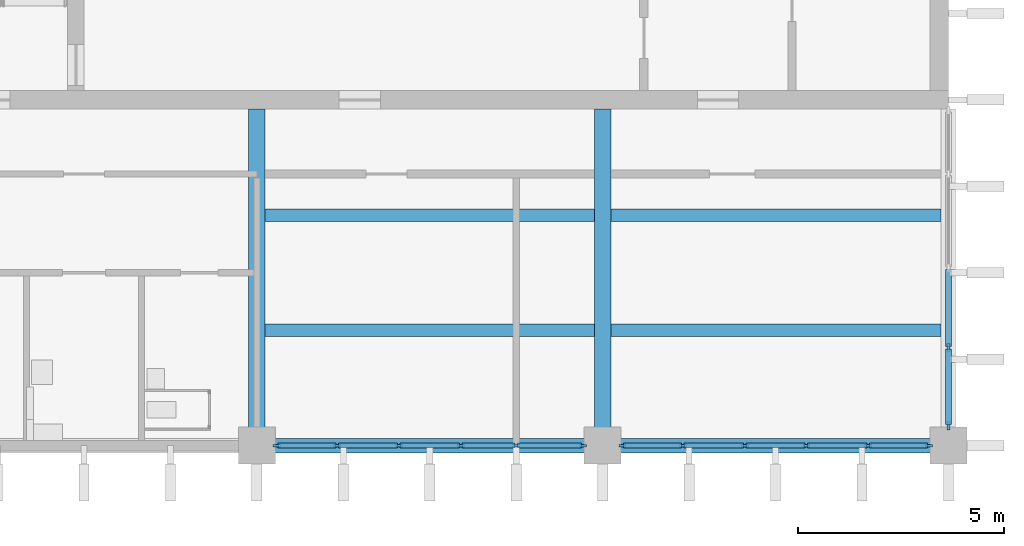
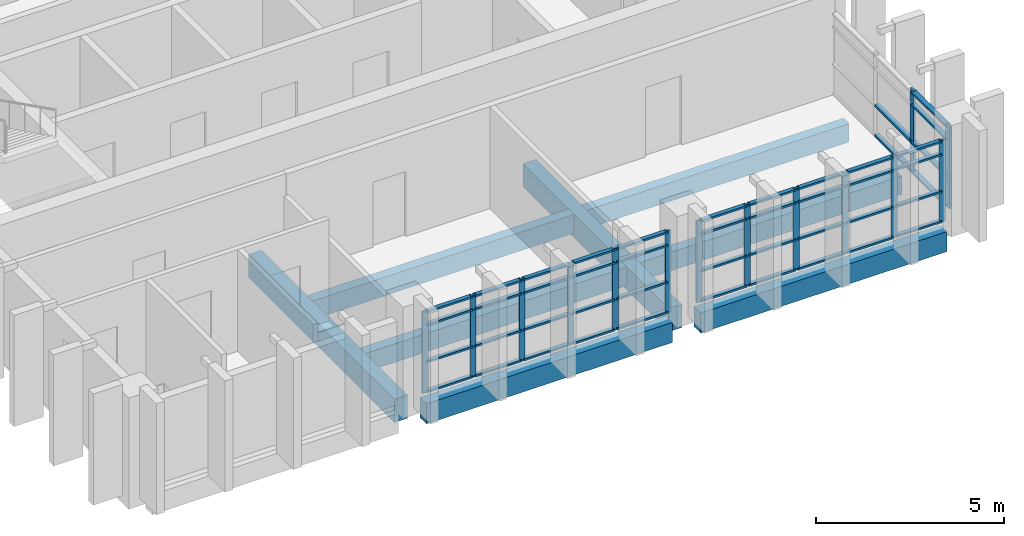
# One storey, part 2 of 10: 60 members, 8 beams, 3 elements without a shape of their own.
"""IFC4 building model written with IfcOpenShell, lengths in metres."""

from ifc_helpers import new_model, si_unit, direction, frame, origin, origin_2d, place, context, subcontext, project, spatial, rectangle, extrude, material, layer, layer_set, material_profile, profile_set, type_object, element, aggregate, save


model = new_model("IFC4")

# Units and contexts
model_context = context("Model", 3, precision=1e-05, world=origin(), true_north=direction((0.0, 1.0)))
body_context = subcontext(model_context, "Body", "Model", "MODEL_VIEW")
ifc_project = project(units=[si_unit("LENGTHUNIT", "METRE"), si_unit("AREAUNIT", "SQUARE_METRE"), si_unit("VOLUMEUNIT", "CUBIC_METRE"), si_unit("PLANEANGLEUNIT", "RADIAN"), si_unit("MASSUNIT", "GRAM", prefix="KILO")], contexts=[model_context])

# Site, building, storey
site_placement = place(None, origin())
site = spatial("IfcSite", under=ifc_project, at=site_placement, CompositionType="ELEMENT")
building_placement = place(site_placement, origin())
building = spatial("IfcBuilding", under=site, at=building_placement, Name="Rulbaag Community and Learning Centre", CompositionType="ELEMENT")
storey_placement = place(building_placement, frame((0.0, 0.0, 28.800048828125)))
storey = spatial("IfcBuildingStorey", under=building, at=storey_placement, Name="L07", CompositionType="ELEMENT", Elevation=28.800048828125)

# Beams
ifc_material_1 = material(Name="Concrete M40", Category="concrete")
ifc_material_profile_1 = material_profile(ifc_material_1, rectangle(XDim=0.35009765625, YDim=0.64990234375, at=origin_2d()), Name="RB350x650")
ifc_profile_set_1 = profile_set([ifc_material_profile_1], Name="Concrete M40")
beam_type_1 = type_object("IfcBeamType", Name="B14 Tower edge beam, upper zone 350x650 Concrete M40", PredefinedType="BEAM", material=ifc_profile_set_1)
for number, where, z_axis, x_axis, name in (
    (1, (151.6298828125, 84.0, -0.574951171875), (1.0, 0.0, 0.0), (0.0, 1.0, 0.0), "BM-L07-19K-20K"),
    (2, (160.030029296875, 84.0, -0.574951171875), (1.0, 0.0, 0.0), (0.0, 1.0, 0.0), "BM-L07-20K-21K"),
):
    element("IfcBeam", number, at=place(storey_placement, frame(where, z_axis=z_axis, x_axis=x_axis)), inside=storey, type_object=beam_type_1, Name=name, PredefinedType="BEAM", context=body_context, shape_type="SweptSolid", body=[
        extrude(rectangle(XDim=0.35009765625, YDim=0.64990234375, at=origin_2d()), origin(), (0.0, 0.0, 1.0), 7.5400390625),
    ])
ifc_material_profile_2 = material_profile(ifc_material_1, rectangle(XDim=0.39990234375, YDim=0.75, at=origin_2d()), Name="RB400x750")
ifc_profile_set_2 = profile_set([ifc_material_profile_2], Name="Concrete M40")
beam_type_2 = type_object("IfcBeamType", Name="B15 Tower frame beam, middle zone 400x750 Concrete M40", PredefinedType="BEAM", material=ifc_profile_set_2)
for number, where, z_axis, x_axis, name in (
    (3, (151.199951171875, 84.429931640625, -0.625), (0.0, 1.0, 0.0), (-1.0, 0.0, 0.0), "BM-L07-19K-19L"),
    (4, (159.60009765625, 84.429931640625, -0.625), (0.0, 1.0, 0.0), (-1.0, 0.0, 0.0), "BM-L07-20K-20L"),
):
    element("IfcBeam", number, at=place(storey_placement, frame(where, z_axis=z_axis, x_axis=x_axis)), inside=storey, type_object=beam_type_2, Name=name, PredefinedType="BEAM", context=body_context, shape_type="SweptSolid", body=[
        extrude(rectangle(XDim=0.39990234375, YDim=0.75, at=origin_2d()), origin(), (0.0, 0.0, 1.0), 7.7451171875),
    ])
ifc_material_profile_3 = material_profile(ifc_material_1, rectangle(XDim=0.300048828125, YDim=0.60009765625, at=origin_2d()), Name="RB300x600")
ifc_profile_set_3 = profile_set([ifc_material_profile_3], Name="Concrete M40")
beam_type_3 = type_object("IfcBeamType", Name="B30 Secondary joist 300x600 Concrete M40", PredefinedType="BEAM", material=ifc_profile_set_3)
for number, where, z_axis, x_axis, name in (
    (5, (151.39990234375, 86.800048828125, -0.550048828125), (1.0, 0.0, 0.0), (0.0, 1.0, 0.0), "BM-JS-L07-19K-1"),
    (6, (151.39990234375, 89.60009765625, -0.550048828125), (1.0, 0.0, 0.0), (0.0, 1.0, 0.0), "BM-JS-L07-19K-2"),
):
    element("IfcBeam", number, at=place(storey_placement, frame(where, z_axis=z_axis, x_axis=x_axis)), inside=storey, type_object=beam_type_3, Name=name, PredefinedType="BEAM", context=body_context, shape_type="SweptSolid", body=[
        extrude(rectangle(XDim=0.300048828125, YDim=0.60009765625, at=origin_2d()), origin(), (0.0, 0.0, 1.0), 8.0),
    ])
for number, where, z_axis, x_axis, name in (
    (7, (159.800048828125, 86.800048828125, -0.550048828125), (1.0, 0.0, 0.0), (0.0, 1.0, 0.0), "BM-JS-L07-20K-1"),
    (8, (159.800048828125, 89.60009765625, -0.550048828125), (1.0, 0.0, 0.0), (0.0, 1.0, 0.0), "BM-JS-L07-20K-2"),
):
    element("IfcBeam", number, at=place(storey_placement, frame(where, z_axis=z_axis, x_axis=x_axis)), inside=storey, type_object=beam_type_3, Name=name, PredefinedType="BEAM", context=body_context, shape_type="SweptSolid", body=[
        extrude(rectangle(XDim=0.300048828125, YDim=0.60009765625, at=origin_2d()), origin(), (0.0, 0.0, 1.0), 8.02490234375),
    ])

# Curtain wall, members
ifc_material_2 = material(Name="Aluminium", Category="aluminium")
ifc_layer_1 = layer(ifc_material_2, 0.14990234375)
ifc_layer_set_1 = layer_set([ifc_layer_1], Name="CW-S")
curtain_wall_type_1 = type_object("IfcCurtainWallType", Name="CW-S", PredefinedType="USERDEFINED", material=ifc_layer_set_1)
curtain_wall_1_placement = place(storey_placement, origin())
curtain_wall_1 = element("IfcCurtainWall", 9, at=curtain_wall_1_placement, inside=storey, type_object=curtain_wall_type_1, Name="GS-L07-01", ObjectType="UNITISED CURTAIN WALL", PredefinedType="USERDEFINED")
ifc_material_3 = material(Name="Aluminium mullion", Category="aluminium")
ifc_material_profile_4 = material_profile(ifc_material_3, rectangle(XDim=0.06005859375, YDim=0.175048828125, at=origin_2d()), Name="AL 60x175")
ifc_profile_set_4 = profile_set([ifc_material_profile_4], Name="Aluminium mullion")
member_type_1 = type_object("IfcMemberType", Name="CW-S-MUL", PredefinedType="MULLION", material=ifc_profile_set_4)
member_1_placement = place(storey_placement, frame((151.679931640625, 84.0, 0.0), z_axis=(0.0, 0.0, 1.0), x_axis=(0.0, 1.0, 0.0)))
member_1 = element("IfcMember", 10, at=member_1_placement, type_object=member_type_1, Name="GS mullion 1", PredefinedType="MULLION", context=body_context, shape_type="SweptSolid", body=[
    extrude(rectangle(XDim=0.06005859375, YDim=0.175048828125, at=origin_2d()), origin(), (0.0, 0.0, 1.0), 2.64990234375),
])
member_2_placement = place(storey_placement, frame((153.14990234375, 84.0, 0.0), z_axis=(0.0, 0.0, 1.0), x_axis=(0.0, 1.0, 0.0)))
member_2 = element("IfcMember", 11, at=member_2_placement, type_object=member_type_1, Name="GS mullion 2", PredefinedType="MULLION", context=body_context, shape_type="SweptSolid", body=[
    extrude(rectangle(XDim=0.06005859375, YDim=0.175048828125, at=origin_2d()), origin(), (0.0, 0.0, 1.0), 2.64990234375),
])
member_3_placement = place(storey_placement, frame((154.64990234375, 84.0, 0.0), z_axis=(0.0, 0.0, 1.0), x_axis=(0.0, 1.0, 0.0)))
member_3 = element("IfcMember", 12, at=member_3_placement, type_object=member_type_1, Name="GS mullion 3", PredefinedType="MULLION", context=body_context, shape_type="SweptSolid", body=[
    extrude(rectangle(XDim=0.06005859375, YDim=0.175048828125, at=origin_2d()), origin(), (0.0, 0.0, 1.0), 2.64990234375),
])
member_4_placement = place(storey_placement, frame((156.14990234375, 84.0, 0.0), z_axis=(0.0, 0.0, 1.0), x_axis=(0.0, 1.0, 0.0)))
member_4 = element("IfcMember", 13, at=member_4_placement, type_object=member_type_1, Name="GS mullion 4", PredefinedType="MULLION", context=body_context, shape_type="SweptSolid", body=[
    extrude(rectangle(XDim=0.06005859375, YDim=0.175048828125, at=origin_2d()), origin(), (0.0, 0.0, 1.0), 2.64990234375),
])
member_5_placement = place(storey_placement, frame((157.5, 84.0, 0.0), z_axis=(0.0, 0.0, 1.0), x_axis=(0.0, 1.0, 0.0)))
member_5 = element("IfcMember", 14, at=member_5_placement, type_object=member_type_1, Name="GS mullion 5", PredefinedType="MULLION", context=body_context, shape_type="SweptSolid", body=[
    extrude(rectangle(XDim=0.06005859375, YDim=0.175048828125, at=origin_2d()), origin(), (0.0, 0.0, 1.0), 2.64990234375),
])
member_6_placement = place(storey_placement, frame((159.1201171875, 84.0, 0.0), z_axis=(0.0, 0.0, 1.0), x_axis=(0.0, 1.0, 0.0)))
member_6 = element("IfcMember", 15, at=member_6_placement, type_object=member_type_1, Name="GS mullion 6", PredefinedType="MULLION", context=body_context, shape_type="SweptSolid", body=[
    extrude(rectangle(XDim=0.06005859375, YDim=0.175048828125, at=origin_2d()), origin(), (0.0, 0.0, 1.0), 2.64990234375),
])

curtain_wall_2_placement = place(storey_placement, origin())
curtain_wall_2 = element("IfcCurtainWall", 16, at=curtain_wall_2_placement, inside=storey, type_object=curtain_wall_type_1, Name="GS-L07-02", ObjectType="UNITISED CURTAIN WALL", PredefinedType="USERDEFINED")
member_7_placement = place(storey_placement, frame((160.080078125, 84.0, 0.0), z_axis=(0.0, 0.0, 1.0), x_axis=(0.0, 1.0, 0.0)))
member_7 = element("IfcMember", 17, at=member_7_placement, type_object=member_type_1, Name="GS mullion 1", PredefinedType="MULLION", context=body_context, shape_type="SweptSolid", body=[
    extrude(rectangle(XDim=0.06005859375, YDim=0.175048828125, at=origin_2d()), origin(), (0.0, 0.0, 1.0), 2.64990234375),
])
member_8_placement = place(storey_placement, frame((161.550048828125, 84.0, 0.0), z_axis=(0.0, 0.0, 1.0), x_axis=(0.0, 1.0, 0.0)))
member_8 = element("IfcMember", 18, at=member_8_placement, type_object=member_type_1, Name="GS mullion 2", PredefinedType="MULLION", context=body_context, shape_type="SweptSolid", body=[
    extrude(rectangle(XDim=0.06005859375, YDim=0.175048828125, at=origin_2d()), origin(), (0.0, 0.0, 1.0), 2.64990234375),
])
member_9_placement = place(storey_placement, frame((163.050048828125, 84.0, 0.0), z_axis=(0.0, 0.0, 1.0), x_axis=(0.0, 1.0, 0.0)))
member_9 = element("IfcMember", 19, at=member_9_placement, type_object=member_type_1, Name="GS mullion 3", PredefinedType="MULLION", context=body_context, shape_type="SweptSolid", body=[
    extrude(rectangle(XDim=0.06005859375, YDim=0.175048828125, at=origin_2d()), origin(), (0.0, 0.0, 1.0), 2.64990234375),
])
member_10_placement = place(storey_placement, frame((164.550048828125, 84.0, 0.0), z_axis=(0.0, 0.0, 1.0), x_axis=(0.0, 1.0, 0.0)))
member_10 = element("IfcMember", 20, at=member_10_placement, type_object=member_type_1, Name="GS mullion 4", PredefinedType="MULLION", context=body_context, shape_type="SweptSolid", body=[
    extrude(rectangle(XDim=0.06005859375, YDim=0.175048828125, at=origin_2d()), origin(), (0.0, 0.0, 1.0), 2.64990234375),
])
member_11_placement = place(storey_placement, frame((166.050048828125, 84.0, 0.0), z_axis=(0.0, 0.0, 1.0), x_axis=(0.0, 1.0, 0.0)))
member_11 = element("IfcMember", 21, at=member_11_placement, type_object=member_type_1, Name="GS mullion 5", PredefinedType="MULLION", context=body_context, shape_type="SweptSolid", body=[
    extrude(rectangle(XDim=0.06005859375, YDim=0.175048828125, at=origin_2d()), origin(), (0.0, 0.0, 1.0), 2.64990234375),
])
member_12_placement = place(storey_placement, frame((167.52001953125, 84.0, 0.0), z_axis=(0.0, 0.0, 1.0), x_axis=(0.0, 1.0, 0.0)))
member_12 = element("IfcMember", 22, at=member_12_placement, type_object=member_type_1, Name="GS mullion 6", PredefinedType="MULLION", context=body_context, shape_type="SweptSolid", body=[
    extrude(rectangle(XDim=0.06005859375, YDim=0.175048828125, at=origin_2d()), origin(), (0.0, 0.0, 1.0), 2.64990234375),
])

# Member
ifc_material_4 = material(Name="Aluminium transom", Category="aluminium")
ifc_material_profile_5 = material_profile(ifc_material_4, rectangle(XDim=0.125, YDim=0.06005859375, at=origin_2d()), Name="AL 60x125 T")
ifc_profile_set_5 = profile_set([ifc_material_profile_5], Name="Aluminium transom")
member_type_2 = type_object("IfcMemberType", Name="CW-S-TRN", PredefinedType="USERDEFINED", material=ifc_profile_set_5)
member_13_placement = place(storey_placement, frame((151.7099609375, 84.0, 0.030029296875), z_axis=(1.0, 0.0, 0.0), x_axis=(0.0, 1.0, 0.0)))
member_13 = element("IfcMember", 23, at=member_13_placement, type_object=member_type_2, Name="GS transom 1.1", ObjectType="TRANSOM", PredefinedType="USERDEFINED", context=body_context, shape_type="SweptSolid", body=[
    extrude(rectangle(XDim=0.125, YDim=0.06005859375, at=origin_2d()), origin(), (0.0, 0.0, 1.0), 1.41015625),
])

member_14_placement = place(storey_placement, frame((151.7099609375, 84.0, 1.0), z_axis=(1.0, 0.0, 0.0), x_axis=(0.0, 1.0, 0.0)))
member_14 = element("IfcMember", 24, at=member_14_placement, type_object=member_type_2, Name="GS transom 1.2", ObjectType="TRANSOM", PredefinedType="USERDEFINED", context=body_context, shape_type="SweptSolid", body=[
    extrude(rectangle(XDim=0.125, YDim=0.06005859375, at=origin_2d()), origin(), (0.0, 0.0, 1.0), 1.41015625),
])

member_15_placement = place(storey_placement, frame((151.7099609375, 84.0, 2.199951171875), z_axis=(1.0, 0.0, 0.0), x_axis=(0.0, 1.0, 0.0)))
member_15 = element("IfcMember", 25, at=member_15_placement, type_object=member_type_2, Name="GS transom 1.3", ObjectType="TRANSOM", PredefinedType="USERDEFINED", context=body_context, shape_type="SweptSolid", body=[
    extrude(rectangle(XDim=0.125, YDim=0.06005859375, at=origin_2d()), origin(), (0.0, 0.0, 1.0), 1.41015625),
])

member_16_placement = place(storey_placement, frame((151.7099609375, 84.0, 2.619873046875), z_axis=(1.0, 0.0, 0.0), x_axis=(0.0, 1.0, 0.0)))
member_16 = element("IfcMember", 26, at=member_16_placement, type_object=member_type_2, Name="GS transom 1.4", ObjectType="TRANSOM", PredefinedType="USERDEFINED", context=body_context, shape_type="SweptSolid", body=[
    extrude(rectangle(XDim=0.125, YDim=0.06005859375, at=origin_2d()), origin(), (0.0, 0.0, 1.0), 1.41015625),
])

member_17_placement = place(storey_placement, frame((153.179931640625, 84.0, 0.030029296875), z_axis=(1.0, 0.0, 0.0), x_axis=(0.0, 1.0, 0.0)))
member_17 = element("IfcMember", 27, at=member_17_placement, type_object=member_type_2, Name="GS transom 2.1", ObjectType="TRANSOM", PredefinedType="USERDEFINED", context=body_context, shape_type="SweptSolid", body=[
    extrude(rectangle(XDim=0.125, YDim=0.06005859375, at=origin_2d()), origin(), (0.0, 0.0, 1.0), 1.440185546875),
])

member_18_placement = place(storey_placement, frame((153.179931640625, 84.0, 1.0), z_axis=(1.0, 0.0, 0.0), x_axis=(0.0, 1.0, 0.0)))
member_18 = element("IfcMember", 28, at=member_18_placement, type_object=member_type_2, Name="GS transom 2.2", ObjectType="TRANSOM", PredefinedType="USERDEFINED", context=body_context, shape_type="SweptSolid", body=[
    extrude(rectangle(XDim=0.125, YDim=0.06005859375, at=origin_2d()), origin(), (0.0, 0.0, 1.0), 1.440185546875),
])

member_19_placement = place(storey_placement, frame((153.179931640625, 84.0, 2.199951171875), z_axis=(1.0, 0.0, 0.0), x_axis=(0.0, 1.0, 0.0)))
member_19 = element("IfcMember", 29, at=member_19_placement, type_object=member_type_2, Name="GS transom 2.3", ObjectType="TRANSOM", PredefinedType="USERDEFINED", context=body_context, shape_type="SweptSolid", body=[
    extrude(rectangle(XDim=0.125, YDim=0.06005859375, at=origin_2d()), origin(), (0.0, 0.0, 1.0), 1.440185546875),
])

member_20_placement = place(storey_placement, frame((153.179931640625, 84.0, 2.619873046875), z_axis=(1.0, 0.0, 0.0), x_axis=(0.0, 1.0, 0.0)))
member_20 = element("IfcMember", 30, at=member_20_placement, type_object=member_type_2, Name="GS transom 2.4", ObjectType="TRANSOM", PredefinedType="USERDEFINED", context=body_context, shape_type="SweptSolid", body=[
    extrude(rectangle(XDim=0.125, YDim=0.06005859375, at=origin_2d()), origin(), (0.0, 0.0, 1.0), 1.440185546875),
])

member_21_placement = place(storey_placement, frame((154.679931640625, 84.0, 0.030029296875), z_axis=(1.0, 0.0, 0.0), x_axis=(0.0, 1.0, 0.0)))
member_21 = element("IfcMember", 31, at=member_21_placement, type_object=member_type_2, Name="GS transom 3.1", ObjectType="TRANSOM", PredefinedType="USERDEFINED", context=body_context, shape_type="SweptSolid", body=[
    extrude(rectangle(XDim=0.125, YDim=0.06005859375, at=origin_2d()), origin(), (0.0, 0.0, 1.0), 1.440185546875),
])

member_22_placement = place(storey_placement, frame((154.679931640625, 84.0, 1.0), z_axis=(1.0, 0.0, 0.0), x_axis=(0.0, 1.0, 0.0)))
member_22 = element("IfcMember", 32, at=member_22_placement, type_object=member_type_2, Name="GS transom 3.2", ObjectType="TRANSOM", PredefinedType="USERDEFINED", context=body_context, shape_type="SweptSolid", body=[
    extrude(rectangle(XDim=0.125, YDim=0.06005859375, at=origin_2d()), origin(), (0.0, 0.0, 1.0), 1.440185546875),
])

member_23_placement = place(storey_placement, frame((154.679931640625, 84.0, 2.199951171875), z_axis=(1.0, 0.0, 0.0), x_axis=(0.0, 1.0, 0.0)))
member_23 = element("IfcMember", 33, at=member_23_placement, type_object=member_type_2, Name="GS transom 3.3", ObjectType="TRANSOM", PredefinedType="USERDEFINED", context=body_context, shape_type="SweptSolid", body=[
    extrude(rectangle(XDim=0.125, YDim=0.06005859375, at=origin_2d()), origin(), (0.0, 0.0, 1.0), 1.440185546875),
])

member_24_placement = place(storey_placement, frame((154.679931640625, 84.0, 2.619873046875), z_axis=(1.0, 0.0, 0.0), x_axis=(0.0, 1.0, 0.0)))
member_24 = element("IfcMember", 34, at=member_24_placement, type_object=member_type_2, Name="GS transom 3.4", ObjectType="TRANSOM", PredefinedType="USERDEFINED", context=body_context, shape_type="SweptSolid", body=[
    extrude(rectangle(XDim=0.125, YDim=0.06005859375, at=origin_2d()), origin(), (0.0, 0.0, 1.0), 1.440185546875),
])

member_25_placement = place(storey_placement, frame((156.179931640625, 84.0, 0.030029296875), z_axis=(1.0, 0.0, 0.0), x_axis=(0.0, 1.0, 0.0)))
member_25 = element("IfcMember", 35, at=member_25_placement, type_object=member_type_2, Name="GS transom 4.1", ObjectType="TRANSOM", PredefinedType="USERDEFINED", context=body_context, shape_type="SweptSolid", body=[
    extrude(rectangle(XDim=0.125, YDim=0.06005859375, at=origin_2d()), origin(), (0.0, 0.0, 1.0), 1.2900390625),
])

member_26_placement = place(storey_placement, frame((156.179931640625, 84.0, 1.0), z_axis=(1.0, 0.0, 0.0), x_axis=(0.0, 1.0, 0.0)))
member_26 = element("IfcMember", 36, at=member_26_placement, type_object=member_type_2, Name="GS transom 4.2", ObjectType="TRANSOM", PredefinedType="USERDEFINED", context=body_context, shape_type="SweptSolid", body=[
    extrude(rectangle(XDim=0.125, YDim=0.06005859375, at=origin_2d()), origin(), (0.0, 0.0, 1.0), 1.2900390625),
])

member_27_placement = place(storey_placement, frame((156.179931640625, 84.0, 2.199951171875), z_axis=(1.0, 0.0, 0.0), x_axis=(0.0, 1.0, 0.0)))
member_27 = element("IfcMember", 37, at=member_27_placement, type_object=member_type_2, Name="GS transom 4.3", ObjectType="TRANSOM", PredefinedType="USERDEFINED", context=body_context, shape_type="SweptSolid", body=[
    extrude(rectangle(XDim=0.125, YDim=0.06005859375, at=origin_2d()), origin(), (0.0, 0.0, 1.0), 1.2900390625),
])

member_28_placement = place(storey_placement, frame((156.179931640625, 84.0, 2.619873046875), z_axis=(1.0, 0.0, 0.0), x_axis=(0.0, 1.0, 0.0)))
member_28 = element("IfcMember", 38, at=member_28_placement, type_object=member_type_2, Name="GS transom 4.4", ObjectType="TRANSOM", PredefinedType="USERDEFINED", context=body_context, shape_type="SweptSolid", body=[
    extrude(rectangle(XDim=0.125, YDim=0.06005859375, at=origin_2d()), origin(), (0.0, 0.0, 1.0), 1.2900390625),
])

member_29_placement = place(storey_placement, frame((157.530029296875, 84.0, 0.030029296875), z_axis=(1.0, 0.0, 0.0), x_axis=(0.0, 1.0, 0.0)))
member_29 = element("IfcMember", 39, at=member_29_placement, type_object=member_type_2, Name="GS transom 5.1", ObjectType="TRANSOM", PredefinedType="USERDEFINED", context=body_context, shape_type="SweptSolid", body=[
    extrude(rectangle(XDim=0.125, YDim=0.06005859375, at=origin_2d()), origin(), (0.0, 0.0, 1.0), 1.56005859375),
])

member_30_placement = place(storey_placement, frame((157.530029296875, 84.0, 1.0), z_axis=(1.0, 0.0, 0.0), x_axis=(0.0, 1.0, 0.0)))
member_30 = element("IfcMember", 40, at=member_30_placement, type_object=member_type_2, Name="GS transom 5.2", ObjectType="TRANSOM", PredefinedType="USERDEFINED", context=body_context, shape_type="SweptSolid", body=[
    extrude(rectangle(XDim=0.125, YDim=0.06005859375, at=origin_2d()), origin(), (0.0, 0.0, 1.0), 1.56005859375),
])

member_31_placement = place(storey_placement, frame((157.530029296875, 84.0, 2.199951171875), z_axis=(1.0, 0.0, 0.0), x_axis=(0.0, 1.0, 0.0)))
member_31 = element("IfcMember", 41, at=member_31_placement, type_object=member_type_2, Name="GS transom 5.3", ObjectType="TRANSOM", PredefinedType="USERDEFINED", context=body_context, shape_type="SweptSolid", body=[
    extrude(rectangle(XDim=0.125, YDim=0.06005859375, at=origin_2d()), origin(), (0.0, 0.0, 1.0), 1.56005859375),
])

member_32_placement = place(storey_placement, frame((157.530029296875, 84.0, 2.619873046875), z_axis=(1.0, 0.0, 0.0), x_axis=(0.0, 1.0, 0.0)))
member_32 = element("IfcMember", 42, at=member_32_placement, type_object=member_type_2, Name="GS transom 5.4", ObjectType="TRANSOM", PredefinedType="USERDEFINED", context=body_context, shape_type="SweptSolid", body=[
    extrude(rectangle(XDim=0.125, YDim=0.06005859375, at=origin_2d()), origin(), (0.0, 0.0, 1.0), 1.56005859375),
])

aggregate(curtain_wall_1, [member_1, member_2, member_3, member_4, member_5, member_6, member_13, member_14, member_15, member_16, member_17, member_18, member_19, member_20, member_21, member_22, member_23, member_24, member_25, member_26, member_27, member_28, member_29, member_30, member_31, member_32])

member_33_placement = place(storey_placement, frame((160.110107421875, 84.0, 0.030029296875), z_axis=(1.0, 0.0, 0.0), x_axis=(0.0, 1.0, 0.0)))
member_33 = element("IfcMember", 43, at=member_33_placement, type_object=member_type_2, Name="GS transom 1.1", ObjectType="TRANSOM", PredefinedType="USERDEFINED", context=body_context, shape_type="SweptSolid", body=[
    extrude(rectangle(XDim=0.125, YDim=0.06005859375, at=origin_2d()), origin(), (0.0, 0.0, 1.0), 1.409912109375),
])

member_34_placement = place(storey_placement, frame((160.110107421875, 84.0, 1.0), z_axis=(1.0, 0.0, 0.0), x_axis=(0.0, 1.0, 0.0)))
member_34 = element("IfcMember", 44, at=member_34_placement, type_object=member_type_2, Name="GS transom 1.2", ObjectType="TRANSOM", PredefinedType="USERDEFINED", context=body_context, shape_type="SweptSolid", body=[
    extrude(rectangle(XDim=0.125, YDim=0.06005859375, at=origin_2d()), origin(), (0.0, 0.0, 1.0), 1.409912109375),
])

member_35_placement = place(storey_placement, frame((160.110107421875, 84.0, 2.199951171875), z_axis=(1.0, 0.0, 0.0), x_axis=(0.0, 1.0, 0.0)))
member_35 = element("IfcMember", 45, at=member_35_placement, type_object=member_type_2, Name="GS transom 1.3", ObjectType="TRANSOM", PredefinedType="USERDEFINED", context=body_context, shape_type="SweptSolid", body=[
    extrude(rectangle(XDim=0.125, YDim=0.06005859375, at=origin_2d()), origin(), (0.0, 0.0, 1.0), 1.409912109375),
])

member_36_placement = place(storey_placement, frame((160.110107421875, 84.0, 2.619873046875), z_axis=(1.0, 0.0, 0.0), x_axis=(0.0, 1.0, 0.0)))
member_36 = element("IfcMember", 46, at=member_36_placement, type_object=member_type_2, Name="GS transom 1.4", ObjectType="TRANSOM", PredefinedType="USERDEFINED", context=body_context, shape_type="SweptSolid", body=[
    extrude(rectangle(XDim=0.125, YDim=0.06005859375, at=origin_2d()), origin(), (0.0, 0.0, 1.0), 1.409912109375),
])

member_37_placement = place(storey_placement, frame((161.580078125, 84.0, 0.030029296875), z_axis=(1.0, 0.0, 0.0), x_axis=(0.0, 1.0, 0.0)))
member_37 = element("IfcMember", 47, at=member_37_placement, type_object=member_type_2, Name="GS transom 2.1", ObjectType="TRANSOM", PredefinedType="USERDEFINED", context=body_context, shape_type="SweptSolid", body=[
    extrude(rectangle(XDim=0.125, YDim=0.06005859375, at=origin_2d()), origin(), (0.0, 0.0, 1.0), 1.43994140625),
])

member_38_placement = place(storey_placement, frame((161.580078125, 84.0, 1.0), z_axis=(1.0, 0.0, 0.0), x_axis=(0.0, 1.0, 0.0)))
member_38 = element("IfcMember", 48, at=member_38_placement, type_object=member_type_2, Name="GS transom 2.2", ObjectType="TRANSOM", PredefinedType="USERDEFINED", context=body_context, shape_type="SweptSolid", body=[
    extrude(rectangle(XDim=0.125, YDim=0.06005859375, at=origin_2d()), origin(), (0.0, 0.0, 1.0), 1.43994140625),
])

member_39_placement = place(storey_placement, frame((161.580078125, 84.0, 2.199951171875), z_axis=(1.0, 0.0, 0.0), x_axis=(0.0, 1.0, 0.0)))
member_39 = element("IfcMember", 49, at=member_39_placement, type_object=member_type_2, Name="GS transom 2.3", ObjectType="TRANSOM", PredefinedType="USERDEFINED", context=body_context, shape_type="SweptSolid", body=[
    extrude(rectangle(XDim=0.125, YDim=0.06005859375, at=origin_2d()), origin(), (0.0, 0.0, 1.0), 1.43994140625),
])

member_40_placement = place(storey_placement, frame((161.580078125, 84.0, 2.619873046875), z_axis=(1.0, 0.0, 0.0), x_axis=(0.0, 1.0, 0.0)))
member_40 = element("IfcMember", 50, at=member_40_placement, type_object=member_type_2, Name="GS transom 2.4", ObjectType="TRANSOM", PredefinedType="USERDEFINED", context=body_context, shape_type="SweptSolid", body=[
    extrude(rectangle(XDim=0.125, YDim=0.06005859375, at=origin_2d()), origin(), (0.0, 0.0, 1.0), 1.43994140625),
])

member_41_placement = place(storey_placement, frame((163.080078125, 84.0, 0.030029296875), z_axis=(1.0, 0.0, 0.0), x_axis=(0.0, 1.0, 0.0)))
member_41 = element("IfcMember", 51, at=member_41_placement, type_object=member_type_2, Name="GS transom 3.1", ObjectType="TRANSOM", PredefinedType="USERDEFINED", context=body_context, shape_type="SweptSolid", body=[
    extrude(rectangle(XDim=0.125, YDim=0.06005859375, at=origin_2d()), origin(), (0.0, 0.0, 1.0), 1.43994140625),
])

member_42_placement = place(storey_placement, frame((163.080078125, 84.0, 1.0), z_axis=(1.0, 0.0, 0.0), x_axis=(0.0, 1.0, 0.0)))
member_42 = element("IfcMember", 52, at=member_42_placement, type_object=member_type_2, Name="GS transom 3.2", ObjectType="TRANSOM", PredefinedType="USERDEFINED", context=body_context, shape_type="SweptSolid", body=[
    extrude(rectangle(XDim=0.125, YDim=0.06005859375, at=origin_2d()), origin(), (0.0, 0.0, 1.0), 1.43994140625),
])

member_43_placement = place(storey_placement, frame((163.080078125, 84.0, 2.199951171875), z_axis=(1.0, 0.0, 0.0), x_axis=(0.0, 1.0, 0.0)))
member_43 = element("IfcMember", 53, at=member_43_placement, type_object=member_type_2, Name="GS transom 3.3", ObjectType="TRANSOM", PredefinedType="USERDEFINED", context=body_context, shape_type="SweptSolid", body=[
    extrude(rectangle(XDim=0.125, YDim=0.06005859375, at=origin_2d()), origin(), (0.0, 0.0, 1.0), 1.43994140625),
])

member_44_placement = place(storey_placement, frame((163.080078125, 84.0, 2.619873046875), z_axis=(1.0, 0.0, 0.0), x_axis=(0.0, 1.0, 0.0)))
member_44 = element("IfcMember", 54, at=member_44_placement, type_object=member_type_2, Name="GS transom 3.4", ObjectType="TRANSOM", PredefinedType="USERDEFINED", context=body_context, shape_type="SweptSolid", body=[
    extrude(rectangle(XDim=0.125, YDim=0.06005859375, at=origin_2d()), origin(), (0.0, 0.0, 1.0), 1.43994140625),
])

member_45_placement = place(storey_placement, frame((164.580078125, 84.0, 0.030029296875), z_axis=(1.0, 0.0, 0.0), x_axis=(0.0, 1.0, 0.0)))
member_45 = element("IfcMember", 55, at=member_45_placement, type_object=member_type_2, Name="GS transom 4.1", ObjectType="TRANSOM", PredefinedType="USERDEFINED", context=body_context, shape_type="SweptSolid", body=[
    extrude(rectangle(XDim=0.125, YDim=0.06005859375, at=origin_2d()), origin(), (0.0, 0.0, 1.0), 1.43994140625),
])

member_46_placement = place(storey_placement, frame((164.580078125, 84.0, 1.0), z_axis=(1.0, 0.0, 0.0), x_axis=(0.0, 1.0, 0.0)))
member_46 = element("IfcMember", 56, at=member_46_placement, type_object=member_type_2, Name="GS transom 4.2", ObjectType="TRANSOM", PredefinedType="USERDEFINED", context=body_context, shape_type="SweptSolid", body=[
    extrude(rectangle(XDim=0.125, YDim=0.06005859375, at=origin_2d()), origin(), (0.0, 0.0, 1.0), 1.43994140625),
])

member_47_placement = place(storey_placement, frame((164.580078125, 84.0, 2.199951171875), z_axis=(1.0, 0.0, 0.0), x_axis=(0.0, 1.0, 0.0)))
member_47 = element("IfcMember", 57, at=member_47_placement, type_object=member_type_2, Name="GS transom 4.3", ObjectType="TRANSOM", PredefinedType="USERDEFINED", context=body_context, shape_type="SweptSolid", body=[
    extrude(rectangle(XDim=0.125, YDim=0.06005859375, at=origin_2d()), origin(), (0.0, 0.0, 1.0), 1.43994140625),
])

member_48_placement = place(storey_placement, frame((164.580078125, 84.0, 2.619873046875), z_axis=(1.0, 0.0, 0.0), x_axis=(0.0, 1.0, 0.0)))
member_48 = element("IfcMember", 58, at=member_48_placement, type_object=member_type_2, Name="GS transom 4.4", ObjectType="TRANSOM", PredefinedType="USERDEFINED", context=body_context, shape_type="SweptSolid", body=[
    extrude(rectangle(XDim=0.125, YDim=0.06005859375, at=origin_2d()), origin(), (0.0, 0.0, 1.0), 1.43994140625),
])

member_49_placement = place(storey_placement, frame((166.080078125, 84.0, 0.030029296875), z_axis=(1.0, 0.0, 0.0), x_axis=(0.0, 1.0, 0.0)))
member_49 = element("IfcMember", 59, at=member_49_placement, type_object=member_type_2, Name="GS transom 5.1", ObjectType="TRANSOM", PredefinedType="USERDEFINED", context=body_context, shape_type="SweptSolid", body=[
    extrude(rectangle(XDim=0.125, YDim=0.06005859375, at=origin_2d()), origin(), (0.0, 0.0, 1.0), 1.409912109375),
])

member_50_placement = place(storey_placement, frame((166.080078125, 84.0, 1.0), z_axis=(1.0, 0.0, 0.0), x_axis=(0.0, 1.0, 0.0)))
member_50 = element("IfcMember", 60, at=member_50_placement, type_object=member_type_2, Name="GS transom 5.2", ObjectType="TRANSOM", PredefinedType="USERDEFINED", context=body_context, shape_type="SweptSolid", body=[
    extrude(rectangle(XDim=0.125, YDim=0.06005859375, at=origin_2d()), origin(), (0.0, 0.0, 1.0), 1.409912109375),
])

member_51_placement = place(storey_placement, frame((166.080078125, 84.0, 2.199951171875), z_axis=(1.0, 0.0, 0.0), x_axis=(0.0, 1.0, 0.0)))
member_51 = element("IfcMember", 61, at=member_51_placement, type_object=member_type_2, Name="GS transom 5.3", ObjectType="TRANSOM", PredefinedType="USERDEFINED", context=body_context, shape_type="SweptSolid", body=[
    extrude(rectangle(XDim=0.125, YDim=0.06005859375, at=origin_2d()), origin(), (0.0, 0.0, 1.0), 1.409912109375),
])

member_52_placement = place(storey_placement, frame((166.080078125, 84.0, 2.619873046875), z_axis=(1.0, 0.0, 0.0), x_axis=(0.0, 1.0, 0.0)))
member_52 = element("IfcMember", 62, at=member_52_placement, type_object=member_type_2, Name="GS transom 5.4", ObjectType="TRANSOM", PredefinedType="USERDEFINED", context=body_context, shape_type="SweptSolid", body=[
    extrude(rectangle(XDim=0.125, YDim=0.06005859375, at=origin_2d()), origin(), (0.0, 0.0, 1.0), 1.409912109375),
])

aggregate(curtain_wall_2, [member_7, member_8, member_9, member_10, member_11, member_12, member_33, member_34, member_35, member_36, member_37, member_38, member_39, member_40, member_41, member_42, member_43, member_44, member_45, member_46, member_47, member_48, member_49, member_50, member_51, member_52])

# Curtain wall, members
ifc_layer_2 = layer(ifc_material_2, 0.14990234375)
ifc_layer_set_2 = layer_set([ifc_layer_2], Name="CW-T")
curtain_wall_type_2 = type_object("IfcCurtainWallType", Name="CW-T", PredefinedType="USERDEFINED", material=ifc_layer_set_2)
curtain_wall_3_placement = place(storey_placement, origin())
curtain_wall_3 = element("IfcCurtainWall", 63, at=curtain_wall_3_placement, inside=storey, type_object=curtain_wall_type_2, Name="GT-L07-05", ObjectType="UNITISED CURTAIN WALL", PredefinedType="USERDEFINED")
ifc_material_profile_6 = material_profile(ifc_material_3, rectangle(XDim=0.06494140625, YDim=0.199951171875, at=origin_2d()), Name="AL 65x200")
ifc_profile_set_6 = profile_set([ifc_material_profile_6], Name="Aluminium mullion")
member_type_3 = type_object("IfcMemberType", Name="CW-T-MUL", PredefinedType="MULLION", material=ifc_profile_set_6)
member_53_placement = place(storey_placement, frame((168.0, 84.482421875, 0.0), z_axis=(0.0, 0.0, 1.0), x_axis=(-1.0, 0.0, 0.0)))
member_53 = element("IfcMember", 64, at=member_53_placement, type_object=member_type_3, Name="GT mullion 1", PredefinedType="MULLION", context=body_context, shape_type="SweptSolid", body=[
    extrude(rectangle(XDim=0.06494140625, YDim=0.199951171875, at=origin_2d()), origin(), (0.0, 0.0, 1.0), 2.64990234375),
])
member_54_placement = place(storey_placement, frame((168.0, 86.38134765625, 0.0), z_axis=(0.0, 0.0, 1.0), x_axis=(-1.0, 0.0, 0.0)))
member_54 = element("IfcMember", 65, at=member_54_placement, type_object=member_type_3, Name="GT mullion 2", PredefinedType="MULLION", context=body_context, shape_type="SweptSolid", body=[
    extrude(rectangle(XDim=0.06494140625, YDim=0.199951171875, at=origin_2d()), origin(), (0.0, 0.0, 1.0), 2.64990234375),
])
ifc_material_profile_7 = material_profile(ifc_material_4, rectangle(XDim=0.14990234375, YDim=0.06494140625, at=origin_2d()), Name="AL 65x150 T")
ifc_profile_set_7 = profile_set([ifc_material_profile_7], Name="Aluminium transom")
member_type_4 = type_object("IfcMemberType", Name="CW-T-TRN", PredefinedType="USERDEFINED", material=ifc_profile_set_7)
member_55_placement = place(storey_placement, frame((168.0, 84.514892578125, 0.032470703125), z_axis=(0.0, 1.0, 0.0), x_axis=(-1.0, 0.0, 0.0)))
member_55 = element("IfcMember", 66, at=member_55_placement, type_object=member_type_4, Name="GT transom 1.1", ObjectType="TRANSOM", PredefinedType="USERDEFINED", context=body_context, shape_type="SweptSolid", body=[
    extrude(rectangle(XDim=0.14990234375, YDim=0.06494140625, at=origin_2d()), origin(), (0.0, 0.0, 1.0), 1.833740234375),
])
member_56_placement = place(storey_placement, frame((168.0, 84.514892578125, 1.0), z_axis=(0.0, 1.0, 0.0), x_axis=(-1.0, 0.0, 0.0)))
member_56 = element("IfcMember", 67, at=member_56_placement, type_object=member_type_4, Name="GT transom 1.2", ObjectType="TRANSOM", PredefinedType="USERDEFINED", context=body_context, shape_type="SweptSolid", body=[
    extrude(rectangle(XDim=0.14990234375, YDim=0.06494140625, at=origin_2d()), origin(), (0.0, 0.0, 1.0), 1.833740234375),
])
member_57_placement = place(storey_placement, frame((168.0, 84.514892578125, 2.199951171875), z_axis=(0.0, 1.0, 0.0), x_axis=(-1.0, 0.0, 0.0)))
member_57 = element("IfcMember", 68, at=member_57_placement, type_object=member_type_4, Name="GT transom 1.3", ObjectType="TRANSOM", PredefinedType="USERDEFINED", context=body_context, shape_type="SweptSolid", body=[
    extrude(rectangle(XDim=0.14990234375, YDim=0.06494140625, at=origin_2d()), origin(), (0.0, 0.0, 1.0), 1.833740234375),
])
member_58_placement = place(storey_placement, frame((168.0, 84.514892578125, 2.617431640625), z_axis=(0.0, 1.0, 0.0), x_axis=(-1.0, 0.0, 0.0)))
member_58 = element("IfcMember", 69, at=member_58_placement, type_object=member_type_4, Name="GT transom 1.4", ObjectType="TRANSOM", PredefinedType="USERDEFINED", context=body_context, shape_type="SweptSolid", body=[
    extrude(rectangle(XDim=0.14990234375, YDim=0.06494140625, at=origin_2d()), origin(), (0.0, 0.0, 1.0), 1.833740234375),
])
member_59_placement = place(storey_placement, frame((168.0, 86.413818359375, 0.032470703125), z_axis=(0.0, 1.0, 0.0), x_axis=(-1.0, 0.0, 0.0)))
member_59 = element("IfcMember", 70, at=member_59_placement, type_object=member_type_4, Name="GT transom 2.1", ObjectType="TRANSOM", PredefinedType="USERDEFINED", context=body_context, shape_type="SweptSolid", body=[
    extrude(rectangle(XDim=0.14990234375, YDim=0.06494140625, at=origin_2d()), origin(), (0.0, 0.0, 1.0), 1.8662109375),
])
member_60_placement = place(storey_placement, frame((168.0, 86.413818359375, 1.0), z_axis=(0.0, 1.0, 0.0), x_axis=(-1.0, 0.0, 0.0)))
member_60 = element("IfcMember", 71, at=member_60_placement, type_object=member_type_4, Name="GT transom 2.2", ObjectType="TRANSOM", PredefinedType="USERDEFINED", context=body_context, shape_type="SweptSolid", body=[
    extrude(rectangle(XDim=0.14990234375, YDim=0.06494140625, at=origin_2d()), origin(), (0.0, 0.0, 1.0), 1.8662109375),
])
aggregate(curtain_wall_3, [member_53, member_54, member_55, member_56, member_57, member_58, member_59, member_60])

save(model, "model.ifc")
